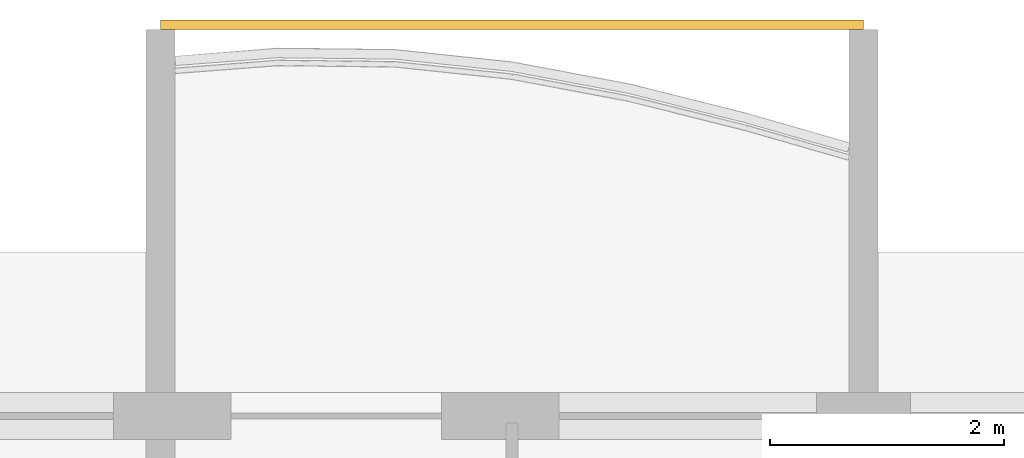
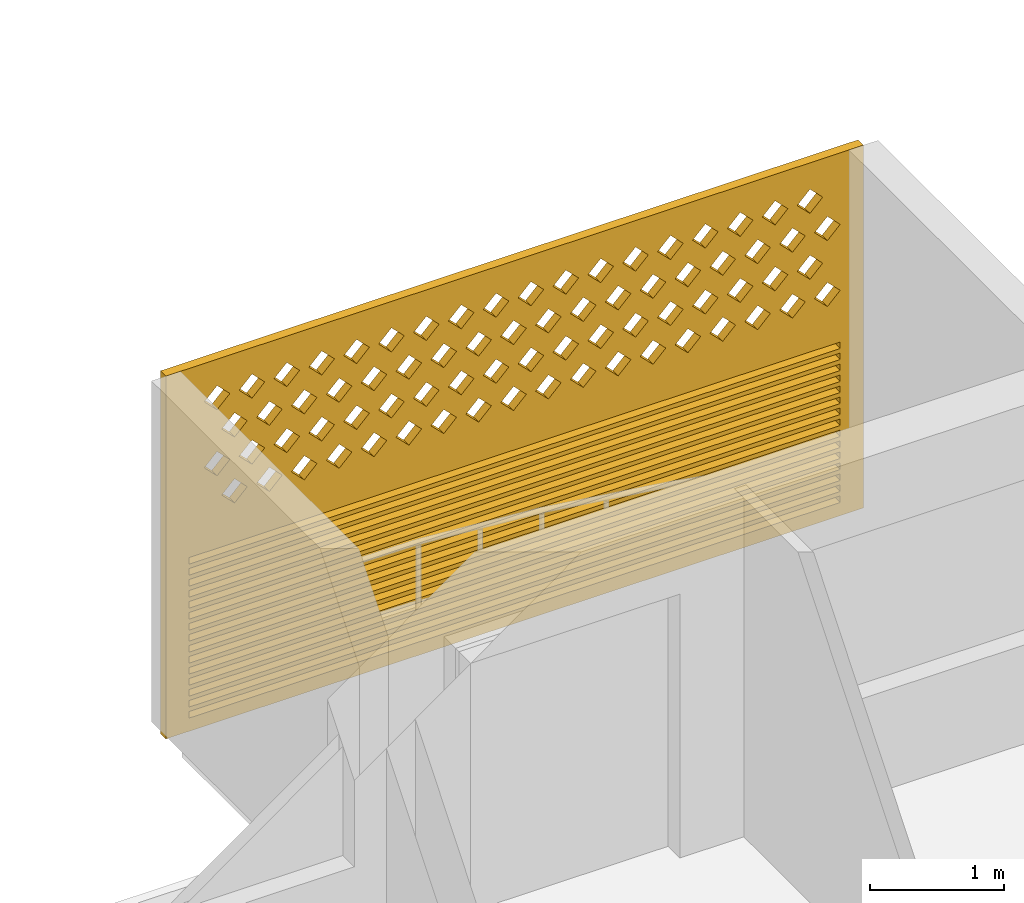
# One storey, part 18 of 26: 1 covering.
"""IFC4 building model written with IfcOpenShell, lengths in metres."""

from ifc_helpers import new_model, si_unit, direction, frame, origin, place, context, subcontext, project, spatial, polyline, outline, extrude, source, transform, mapped, material, material_profile, profile_set, type_object, element, save


model = new_model("IFC4")

# Units and contexts
model_context = context("Model", 3, precision=1e-05, world=origin(), true_north=direction((0.0, 1.0)))
body_context = subcontext(model_context, "Body", "Model", "MODEL_VIEW")
ifc_project = project(units=[si_unit("LENGTHUNIT", "METRE"), si_unit("AREAUNIT", "SQUARE_METRE"), si_unit("VOLUMEUNIT", "CUBIC_METRE"), si_unit("PLANEANGLEUNIT", "RADIAN"), si_unit("MASSUNIT", "GRAM", prefix="KILO")], contexts=[model_context])

# Site, building, storey
site_placement = place(None, origin())
site = spatial("IfcSite", under=ifc_project, at=site_placement, CompositionType="ELEMENT")
building_placement = place(site_placement, origin())
building = spatial("IfcBuilding", under=site, at=building_placement, Name="Poui Terraces", CompositionType="ELEMENT")
storey_placement = place(building_placement, frame((0.0, 0.0, 171.89990234375)))
storey = spatial("IfcBuildingStorey", under=building, at=storey_placement, Name="L47", CompositionType="ELEMENT", Elevation=171.89990234375)

# Covering
ifc_material = material(Name="Terracotta screen", Category="masonry")
ifc_material_profile = material_profile(ifc_material, outline(polyline([(-3.0, -1.64990234375), (3.0, -1.64990234375), (3.0, 1.64990234375), (-3.0, 1.64990234375), (-3.0, -1.64990234375)]), holes=[polyline([(-2.800048828125, 0.39990234375), (-2.68994140625, 0.2900390625), (-2.580078125, 0.39990234375), (-2.68994140625, 0.510009765625), (-2.800048828125, 0.39990234375)]), polyline([(-2.5, 0.39990234375), (-2.389892578125, 0.2900390625), (-2.280029296875, 0.39990234375), (-2.389892578125, 0.510009765625), (-2.5, 0.39990234375)]), polyline([(-2.199951171875, 0.39990234375), (-2.090087890625, 0.2900390625), (-1.97998046875, 0.39990234375), (-2.090087890625, 0.510009765625), (-2.199951171875, 0.39990234375)]), polyline([(-1.89990234375, 0.39990234375), (-1.7900390625, 0.2900390625), (-1.679931640625, 0.39990234375), (-1.7900390625, 0.510009765625), (-1.89990234375, 0.39990234375)]), polyline([(-1.60009765625, 0.39990234375), (-1.489990234375, 0.2900390625), (-1.3798828125, 0.39990234375), (-1.489990234375, 0.510009765625), (-1.60009765625, 0.39990234375)]), polyline([(-1.300048828125, 0.39990234375), (-1.18994140625, 0.2900390625), (-1.080078125, 0.39990234375), (-1.18994140625, 0.510009765625), (-1.300048828125, 0.39990234375)]), polyline([(-1.0, 0.39990234375), (-0.889892578125, 0.2900390625), (-0.780029296875, 0.39990234375), (-0.889892578125, 0.510009765625), (-1.0, 0.39990234375)]), polyline([(-0.699951171875, 0.39990234375), (-0.590087890625, 0.2900390625), (-0.47998046875, 0.39990234375), (-0.590087890625, 0.510009765625), (-0.699951171875, 0.39990234375)]), polyline([(-0.39990234375, 0.39990234375), (-0.2900390625, 0.2900390625), (-0.179931640625, 0.39990234375), (-0.2900390625, 0.510009765625), (-0.39990234375, 0.39990234375)]), polyline([(-0.10009765625, 0.39990234375), (0.010009765625, 0.2900390625), (0.1201171875, 0.39990234375), (0.010009765625, 0.510009765625), (-0.10009765625, 0.39990234375)]), polyline([(0.199951171875, 0.39990234375), (0.31005859375, 0.2900390625), (0.419921875, 0.39990234375), (0.31005859375, 0.510009765625), (0.199951171875, 0.39990234375)]), polyline([(0.5, 0.39990234375), (0.610107421875, 0.2900390625), (0.719970703125, 0.39990234375), (0.610107421875, 0.510009765625), (0.5, 0.39990234375)]), polyline([(0.800048828125, 0.39990234375), (0.909912109375, 0.2900390625), (1.02001953125, 0.39990234375), (0.909912109375, 0.510009765625), (0.800048828125, 0.39990234375)]), polyline([(1.10009765625, 0.39990234375), (1.2099609375, 0.2900390625), (1.320068359375, 0.39990234375), (1.2099609375, 0.510009765625), (1.10009765625, 0.39990234375)]), polyline([(1.39990234375, 0.39990234375), (1.510009765625, 0.2900390625), (1.6201171875, 0.39990234375), (1.510009765625, 0.510009765625), (1.39990234375, 0.39990234375)]), polyline([(1.699951171875, 0.39990234375), (1.81005859375, 0.2900390625), (1.919921875, 0.39990234375), (1.81005859375, 0.510009765625), (1.699951171875, 0.39990234375)]), polyline([(2.0, 0.39990234375), (2.110107421875, 0.2900390625), (2.219970703125, 0.39990234375), (2.110107421875, 0.510009765625), (2.0, 0.39990234375)]), polyline([(2.300048828125, 0.39990234375), (2.409912109375, 0.2900390625), (2.52001953125, 0.39990234375), (2.409912109375, 0.510009765625), (2.300048828125, 0.39990234375)]), polyline([(-2.64990234375, 0.699951171875), (-2.5400390625, 0.590087890625), (-2.429931640625, 0.699951171875), (-2.5400390625, 0.81005859375), (-2.64990234375, 0.699951171875)]), polyline([(-2.35009765625, 0.699951171875), (-2.239990234375, 0.590087890625), (-2.1298828125, 0.699951171875), (-2.239990234375, 0.81005859375), (-2.35009765625, 0.699951171875)]), polyline([(-2.050048828125, 0.699951171875), (-1.93994140625, 0.590087890625), (-1.830078125, 0.699951171875), (-1.93994140625, 0.81005859375), (-2.050048828125, 0.699951171875)]), polyline([(-1.75, 0.699951171875), (-1.639892578125, 0.590087890625), (-1.530029296875, 0.699951171875), (-1.639892578125, 0.81005859375), (-1.75, 0.699951171875)]), polyline([(-1.449951171875, 0.699951171875), (-1.340087890625, 0.590087890625), (-1.22998046875, 0.699951171875), (-1.340087890625, 0.81005859375), (-1.449951171875, 0.699951171875)]), polyline([(-1.14990234375, 0.699951171875), (-1.0400390625, 0.590087890625), (-0.929931640625, 0.699951171875), (-1.0400390625, 0.81005859375), (-1.14990234375, 0.699951171875)]), polyline([(-0.85009765625, 0.699951171875), (-0.739990234375, 0.590087890625), (-0.6298828125, 0.699951171875), (-0.739990234375, 0.81005859375), (-0.85009765625, 0.699951171875)]), polyline([(-0.550048828125, 0.699951171875), (-0.43994140625, 0.590087890625), (-0.330078125, 0.699951171875), (-0.43994140625, 0.81005859375), (-0.550048828125, 0.699951171875)]), polyline([(-0.25, 0.699951171875), (-0.139892578125, 0.590087890625), (-0.030029296875, 0.699951171875), (-0.139892578125, 0.81005859375), (-0.25, 0.699951171875)]), polyline([(0.050048828125, 0.699951171875), (0.159912109375, 0.590087890625), (0.27001953125, 0.699951171875), (0.159912109375, 0.81005859375), (0.050048828125, 0.699951171875)]), polyline([(0.35009765625, 0.699951171875), (0.4599609375, 0.590087890625), (0.570068359375, 0.699951171875), (0.4599609375, 0.81005859375), (0.35009765625, 0.699951171875)]), polyline([(0.64990234375, 0.699951171875), (0.760009765625, 0.590087890625), (0.8701171875, 0.699951171875), (0.760009765625, 0.81005859375), (0.64990234375, 0.699951171875)]), polyline([(0.949951171875, 0.699951171875), (1.06005859375, 0.590087890625), (1.169921875, 0.699951171875), (1.06005859375, 0.81005859375), (0.949951171875, 0.699951171875)]), polyline([(1.25, 0.699951171875), (1.360107421875, 0.590087890625), (1.469970703125, 0.699951171875), (1.360107421875, 0.81005859375), (1.25, 0.699951171875)]), polyline([(1.550048828125, 0.699951171875), (1.659912109375, 0.590087890625), (1.77001953125, 0.699951171875), (1.659912109375, 0.81005859375), (1.550048828125, 0.699951171875)]), polyline([(1.85009765625, 0.699951171875), (1.9599609375, 0.590087890625), (2.070068359375, 0.699951171875), (1.9599609375, 0.81005859375), (1.85009765625, 0.699951171875)]), polyline([(2.14990234375, 0.699951171875), (2.260009765625, 0.590087890625), (2.3701171875, 0.699951171875), (2.260009765625, 0.81005859375), (2.14990234375, 0.699951171875)]), polyline([(2.449951171875, 0.699951171875), (2.56005859375, 0.590087890625), (2.669921875, 0.699951171875), (2.56005859375, 0.81005859375), (2.449951171875, 0.699951171875)]), polyline([(-2.800048828125, 1.0), (-2.68994140625, 0.889892578125), (-2.580078125, 1.0), (-2.68994140625, 1.110107421875), (-2.800048828125, 1.0)]), polyline([(-2.5, 1.0), (-2.389892578125, 0.889892578125), (-2.280029296875, 1.0), (-2.389892578125, 1.110107421875), (-2.5, 1.0)]), polyline([(-2.199951171875, 1.0), (-2.090087890625, 0.889892578125), (-1.97998046875, 1.0), (-2.090087890625, 1.110107421875), (-2.199951171875, 1.0)]), polyline([(-1.89990234375, 1.0), (-1.7900390625, 0.889892578125), (-1.679931640625, 1.0), (-1.7900390625, 1.110107421875), (-1.89990234375, 1.0)]), polyline([(-1.60009765625, 1.0), (-1.489990234375, 0.889892578125), (-1.3798828125, 1.0), (-1.489990234375, 1.110107421875), (-1.60009765625, 1.0)]), polyline([(-1.300048828125, 1.0), (-1.18994140625, 0.889892578125), (-1.080078125, 1.0), (-1.18994140625, 1.110107421875), (-1.300048828125, 1.0)]), polyline([(-1.0, 1.0), (-0.889892578125, 0.889892578125), (-0.780029296875, 1.0), (-0.889892578125, 1.110107421875), (-1.0, 1.0)]), polyline([(-0.699951171875, 1.0), (-0.590087890625, 0.889892578125), (-0.47998046875, 1.0), (-0.590087890625, 1.110107421875), (-0.699951171875, 1.0)]), polyline([(-0.39990234375, 1.0), (-0.2900390625, 0.889892578125), (-0.179931640625, 1.0), (-0.2900390625, 1.110107421875), (-0.39990234375, 1.0)]), polyline([(-0.10009765625, 1.0), (0.010009765625, 0.889892578125), (0.1201171875, 1.0), (0.010009765625, 1.110107421875), (-0.10009765625, 1.0)]), polyline([(0.199951171875, 1.0), (0.31005859375, 0.889892578125), (0.419921875, 1.0), (0.31005859375, 1.110107421875), (0.199951171875, 1.0)]), polyline([(0.5, 1.0), (0.610107421875, 0.889892578125), (0.719970703125, 1.0), (0.610107421875, 1.110107421875), (0.5, 1.0)]), polyline([(0.800048828125, 1.0), (0.909912109375, 0.889892578125), (1.02001953125, 1.0), (0.909912109375, 1.110107421875), (0.800048828125, 1.0)]), polyline([(1.10009765625, 1.0), (1.2099609375, 0.889892578125), (1.320068359375, 1.0), (1.2099609375, 1.110107421875), (1.10009765625, 1.0)]), polyline([(1.39990234375, 1.0), (1.510009765625, 0.889892578125), (1.6201171875, 1.0), (1.510009765625, 1.110107421875), (1.39990234375, 1.0)]), polyline([(1.699951171875, 1.0), (1.81005859375, 0.889892578125), (1.919921875, 1.0), (1.81005859375, 1.110107421875), (1.699951171875, 1.0)]), polyline([(2.0, 1.0), (2.110107421875, 0.889892578125), (2.219970703125, 1.0), (2.110107421875, 1.110107421875), (2.0, 1.0)]), polyline([(2.300048828125, 1.0), (2.409912109375, 0.889892578125), (2.52001953125, 1.0), (2.409912109375, 1.110107421875), (2.300048828125, 1.0)]), polyline([(-2.64990234375, 1.300048828125), (-2.5400390625, 1.18994140625), (-2.429931640625, 1.300048828125), (-2.5400390625, 1.409912109375), (-2.64990234375, 1.300048828125)]), polyline([(-2.35009765625, 1.300048828125), (-2.239990234375, 1.18994140625), (-2.1298828125, 1.300048828125), (-2.239990234375, 1.409912109375), (-2.35009765625, 1.300048828125)]), polyline([(-2.050048828125, 1.300048828125), (-1.93994140625, 1.18994140625), (-1.830078125, 1.300048828125), (-1.93994140625, 1.409912109375), (-2.050048828125, 1.300048828125)]), polyline([(-1.75, 1.300048828125), (-1.639892578125, 1.18994140625), (-1.530029296875, 1.300048828125), (-1.639892578125, 1.409912109375), (-1.75, 1.300048828125)]), polyline([(-1.449951171875, 1.300048828125), (-1.340087890625, 1.18994140625), (-1.22998046875, 1.300048828125), (-1.340087890625, 1.409912109375), (-1.449951171875, 1.300048828125)]), polyline([(-1.14990234375, 1.300048828125), (-1.0400390625, 1.18994140625), (-0.929931640625, 1.300048828125), (-1.0400390625, 1.409912109375), (-1.14990234375, 1.300048828125)]), polyline([(-0.85009765625, 1.300048828125), (-0.739990234375, 1.18994140625), (-0.6298828125, 1.300048828125), (-0.739990234375, 1.409912109375), (-0.85009765625, 1.300048828125)]), polyline([(-0.550048828125, 1.300048828125), (-0.43994140625, 1.18994140625), (-0.330078125, 1.300048828125), (-0.43994140625, 1.409912109375), (-0.550048828125, 1.300048828125)]), polyline([(-0.25, 1.300048828125), (-0.139892578125, 1.18994140625), (-0.030029296875, 1.300048828125), (-0.139892578125, 1.409912109375), (-0.25, 1.300048828125)]), polyline([(0.050048828125, 1.300048828125), (0.159912109375, 1.18994140625), (0.27001953125, 1.300048828125), (0.159912109375, 1.409912109375), (0.050048828125, 1.300048828125)]), polyline([(0.35009765625, 1.300048828125), (0.4599609375, 1.18994140625), (0.570068359375, 1.300048828125), (0.4599609375, 1.409912109375), (0.35009765625, 1.300048828125)]), polyline([(0.64990234375, 1.300048828125), (0.760009765625, 1.18994140625), (0.8701171875, 1.300048828125), (0.760009765625, 1.409912109375), (0.64990234375, 1.300048828125)]), polyline([(0.949951171875, 1.300048828125), (1.06005859375, 1.18994140625), (1.169921875, 1.300048828125), (1.06005859375, 1.409912109375), (0.949951171875, 1.300048828125)]), polyline([(1.25, 1.300048828125), (1.360107421875, 1.18994140625), (1.469970703125, 1.300048828125), (1.360107421875, 1.409912109375), (1.25, 1.300048828125)]), polyline([(1.550048828125, 1.300048828125), (1.659912109375, 1.18994140625), (1.77001953125, 1.300048828125), (1.659912109375, 1.409912109375), (1.550048828125, 1.300048828125)]), polyline([(1.85009765625, 1.300048828125), (1.9599609375, 1.18994140625), (2.070068359375, 1.300048828125), (1.9599609375, 1.409912109375), (1.85009765625, 1.300048828125)]), polyline([(2.14990234375, 1.300048828125), (2.260009765625, 1.18994140625), (2.3701171875, 1.300048828125), (2.260009765625, 1.409912109375), (2.14990234375, 1.300048828125)]), polyline([(2.449951171875, 1.300048828125), (2.56005859375, 1.18994140625), (2.669921875, 1.300048828125), (2.56005859375, 1.409912109375), (2.449951171875, 1.300048828125)]), polyline([(-2.800048828125, -1.530029296875), (2.800048828125, -1.530029296875), (2.800048828125, -1.469970703125), (-2.800048828125, -1.469970703125), (-2.800048828125, -1.530029296875)]), polyline([(-2.800048828125, -1.429931640625), (2.800048828125, -1.429931640625), (2.800048828125, -1.3701171875), (-2.800048828125, -1.3701171875), (-2.800048828125, -1.429931640625)]), polyline([(-2.800048828125, -1.330078125), (2.800048828125, -1.330078125), (2.800048828125, -1.27001953125), (-2.800048828125, -1.27001953125), (-2.800048828125, -1.330078125)]), polyline([(-2.800048828125, -1.22998046875), (2.800048828125, -1.22998046875), (2.800048828125, -1.169921875), (-2.800048828125, -1.169921875), (-2.800048828125, -1.22998046875)]), polyline([(-2.800048828125, -1.1298828125), (2.800048828125, -1.1298828125), (2.800048828125, -1.070068359375), (-2.800048828125, -1.070068359375), (-2.800048828125, -1.1298828125)]), polyline([(-2.800048828125, -1.030029296875), (2.800048828125, -1.030029296875), (2.800048828125, -0.969970703125), (-2.800048828125, -0.969970703125), (-2.800048828125, -1.030029296875)]), polyline([(-2.800048828125, -0.929931640625), (2.800048828125, -0.929931640625), (2.800048828125, -0.8701171875), (-2.800048828125, -0.8701171875), (-2.800048828125, -0.929931640625)]), polyline([(-2.800048828125, -0.830078125), (2.800048828125, -0.830078125), (2.800048828125, -0.77001953125), (-2.800048828125, -0.77001953125), (-2.800048828125, -0.830078125)]), polyline([(-2.800048828125, -0.72998046875), (2.800048828125, -0.72998046875), (2.800048828125, -0.669921875), (-2.800048828125, -0.669921875), (-2.800048828125, -0.72998046875)]), polyline([(-2.800048828125, -0.6298828125), (2.800048828125, -0.6298828125), (2.800048828125, -0.570068359375), (-2.800048828125, -0.570068359375), (-2.800048828125, -0.6298828125)]), polyline([(-2.800048828125, -0.530029296875), (2.800048828125, -0.530029296875), (2.800048828125, -0.469970703125), (-2.800048828125, -0.469970703125), (-2.800048828125, -0.530029296875)]), polyline([(-2.800048828125, -0.429931640625), (2.800048828125, -0.429931640625), (2.800048828125, -0.3701171875), (-2.800048828125, -0.3701171875), (-2.800048828125, -0.429931640625)]), polyline([(-2.800048828125, -0.330078125), (2.800048828125, -0.330078125), (2.800048828125, -0.27001953125), (-2.800048828125, -0.27001953125), (-2.800048828125, -0.330078125)]), polyline([(-2.800048828125, -0.22998046875), (2.800048828125, -0.22998046875), (2.800048828125, -0.169921875), (-2.800048828125, -0.169921875), (-2.800048828125, -0.22998046875)]), polyline([(-2.800048828125, -0.1298828125), (2.800048828125, -0.1298828125), (2.800048828125, -0.070068359375), (-2.800048828125, -0.070068359375), (-2.800048828125, -0.1298828125)])]), Name="TERRACOTTA SCREEN AND JALOUSIE LOUVRE 6000X3300")
ifc_profile_set = profile_set([ifc_material_profile], Name="Terracotta screen")
covering_type = type_object("IfcCoveringType", Name="TERRACOTTA SCREEN AND JALOUSIE LOUVRE 6000X3300", PredefinedType="CLADDING", material=ifc_profile_set)
shared_shape = source(origin(), body_context, "Body", "SweptSolid", [
    extrude(outline(polyline([(-3.0, -1.64990234375), (3.0, -1.64990234375), (3.0, 1.64990234375), (-3.0, 1.64990234375), (-3.0, -1.64990234375)]), holes=[polyline([(-2.800048828125, 0.39990234375), (-2.68994140625, 0.2900390625), (-2.580078125, 0.39990234375), (-2.68994140625, 0.510009765625), (-2.800048828125, 0.39990234375)]), polyline([(-2.5, 0.39990234375), (-2.389892578125, 0.2900390625), (-2.280029296875, 0.39990234375), (-2.389892578125, 0.510009765625), (-2.5, 0.39990234375)]), polyline([(-2.199951171875, 0.39990234375), (-2.090087890625, 0.2900390625), (-1.97998046875, 0.39990234375), (-2.090087890625, 0.510009765625), (-2.199951171875, 0.39990234375)]), polyline([(-1.89990234375, 0.39990234375), (-1.7900390625, 0.2900390625), (-1.679931640625, 0.39990234375), (-1.7900390625, 0.510009765625), (-1.89990234375, 0.39990234375)]), polyline([(-1.60009765625, 0.39990234375), (-1.489990234375, 0.2900390625), (-1.3798828125, 0.39990234375), (-1.489990234375, 0.510009765625), (-1.60009765625, 0.39990234375)]), polyline([(-1.300048828125, 0.39990234375), (-1.18994140625, 0.2900390625), (-1.080078125, 0.39990234375), (-1.18994140625, 0.510009765625), (-1.300048828125, 0.39990234375)]), polyline([(-1.0, 0.39990234375), (-0.889892578125, 0.2900390625), (-0.780029296875, 0.39990234375), (-0.889892578125, 0.510009765625), (-1.0, 0.39990234375)]), polyline([(-0.699951171875, 0.39990234375), (-0.590087890625, 0.2900390625), (-0.47998046875, 0.39990234375), (-0.590087890625, 0.510009765625), (-0.699951171875, 0.39990234375)]), polyline([(-0.39990234375, 0.39990234375), (-0.2900390625, 0.2900390625), (-0.179931640625, 0.39990234375), (-0.2900390625, 0.510009765625), (-0.39990234375, 0.39990234375)]), polyline([(-0.10009765625, 0.39990234375), (0.010009765625, 0.2900390625), (0.1201171875, 0.39990234375), (0.010009765625, 0.510009765625), (-0.10009765625, 0.39990234375)]), polyline([(0.199951171875, 0.39990234375), (0.31005859375, 0.2900390625), (0.419921875, 0.39990234375), (0.31005859375, 0.510009765625), (0.199951171875, 0.39990234375)]), polyline([(0.5, 0.39990234375), (0.610107421875, 0.2900390625), (0.719970703125, 0.39990234375), (0.610107421875, 0.510009765625), (0.5, 0.39990234375)]), polyline([(0.800048828125, 0.39990234375), (0.909912109375, 0.2900390625), (1.02001953125, 0.39990234375), (0.909912109375, 0.510009765625), (0.800048828125, 0.39990234375)]), polyline([(1.10009765625, 0.39990234375), (1.2099609375, 0.2900390625), (1.320068359375, 0.39990234375), (1.2099609375, 0.510009765625), (1.10009765625, 0.39990234375)]), polyline([(1.39990234375, 0.39990234375), (1.510009765625, 0.2900390625), (1.6201171875, 0.39990234375), (1.510009765625, 0.510009765625), (1.39990234375, 0.39990234375)]), polyline([(1.699951171875, 0.39990234375), (1.81005859375, 0.2900390625), (1.919921875, 0.39990234375), (1.81005859375, 0.510009765625), (1.699951171875, 0.39990234375)]), polyline([(2.0, 0.39990234375), (2.110107421875, 0.2900390625), (2.219970703125, 0.39990234375), (2.110107421875, 0.510009765625), (2.0, 0.39990234375)]), polyline([(2.300048828125, 0.39990234375), (2.409912109375, 0.2900390625), (2.52001953125, 0.39990234375), (2.409912109375, 0.510009765625), (2.300048828125, 0.39990234375)]), polyline([(-2.64990234375, 0.699951171875), (-2.5400390625, 0.590087890625), (-2.429931640625, 0.699951171875), (-2.5400390625, 0.81005859375), (-2.64990234375, 0.699951171875)]), polyline([(-2.35009765625, 0.699951171875), (-2.239990234375, 0.590087890625), (-2.1298828125, 0.699951171875), (-2.239990234375, 0.81005859375), (-2.35009765625, 0.699951171875)]), polyline([(-2.050048828125, 0.699951171875), (-1.93994140625, 0.590087890625), (-1.830078125, 0.699951171875), (-1.93994140625, 0.81005859375), (-2.050048828125, 0.699951171875)]), polyline([(-1.75, 0.699951171875), (-1.639892578125, 0.590087890625), (-1.530029296875, 0.699951171875), (-1.639892578125, 0.81005859375), (-1.75, 0.699951171875)]), polyline([(-1.449951171875, 0.699951171875), (-1.340087890625, 0.590087890625), (-1.22998046875, 0.699951171875), (-1.340087890625, 0.81005859375), (-1.449951171875, 0.699951171875)]), polyline([(-1.14990234375, 0.699951171875), (-1.0400390625, 0.590087890625), (-0.929931640625, 0.699951171875), (-1.0400390625, 0.81005859375), (-1.14990234375, 0.699951171875)]), polyline([(-0.85009765625, 0.699951171875), (-0.739990234375, 0.590087890625), (-0.6298828125, 0.699951171875), (-0.739990234375, 0.81005859375), (-0.85009765625, 0.699951171875)]), polyline([(-0.550048828125, 0.699951171875), (-0.43994140625, 0.590087890625), (-0.330078125, 0.699951171875), (-0.43994140625, 0.81005859375), (-0.550048828125, 0.699951171875)]), polyline([(-0.25, 0.699951171875), (-0.139892578125, 0.590087890625), (-0.030029296875, 0.699951171875), (-0.139892578125, 0.81005859375), (-0.25, 0.699951171875)]), polyline([(0.050048828125, 0.699951171875), (0.159912109375, 0.590087890625), (0.27001953125, 0.699951171875), (0.159912109375, 0.81005859375), (0.050048828125, 0.699951171875)]), polyline([(0.35009765625, 0.699951171875), (0.4599609375, 0.590087890625), (0.570068359375, 0.699951171875), (0.4599609375, 0.81005859375), (0.35009765625, 0.699951171875)]), polyline([(0.64990234375, 0.699951171875), (0.760009765625, 0.590087890625), (0.8701171875, 0.699951171875), (0.760009765625, 0.81005859375), (0.64990234375, 0.699951171875)]), polyline([(0.949951171875, 0.699951171875), (1.06005859375, 0.590087890625), (1.169921875, 0.699951171875), (1.06005859375, 0.81005859375), (0.949951171875, 0.699951171875)]), polyline([(1.25, 0.699951171875), (1.360107421875, 0.590087890625), (1.469970703125, 0.699951171875), (1.360107421875, 0.81005859375), (1.25, 0.699951171875)]), polyline([(1.550048828125, 0.699951171875), (1.659912109375, 0.590087890625), (1.77001953125, 0.699951171875), (1.659912109375, 0.81005859375), (1.550048828125, 0.699951171875)]), polyline([(1.85009765625, 0.699951171875), (1.9599609375, 0.590087890625), (2.070068359375, 0.699951171875), (1.9599609375, 0.81005859375), (1.85009765625, 0.699951171875)]), polyline([(2.14990234375, 0.699951171875), (2.260009765625, 0.590087890625), (2.3701171875, 0.699951171875), (2.260009765625, 0.81005859375), (2.14990234375, 0.699951171875)]), polyline([(2.449951171875, 0.699951171875), (2.56005859375, 0.590087890625), (2.669921875, 0.699951171875), (2.56005859375, 0.81005859375), (2.449951171875, 0.699951171875)]), polyline([(-2.800048828125, 1.0), (-2.68994140625, 0.889892578125), (-2.580078125, 1.0), (-2.68994140625, 1.110107421875), (-2.800048828125, 1.0)]), polyline([(-2.5, 1.0), (-2.389892578125, 0.889892578125), (-2.280029296875, 1.0), (-2.389892578125, 1.110107421875), (-2.5, 1.0)]), polyline([(-2.199951171875, 1.0), (-2.090087890625, 0.889892578125), (-1.97998046875, 1.0), (-2.090087890625, 1.110107421875), (-2.199951171875, 1.0)]), polyline([(-1.89990234375, 1.0), (-1.7900390625, 0.889892578125), (-1.679931640625, 1.0), (-1.7900390625, 1.110107421875), (-1.89990234375, 1.0)]), polyline([(-1.60009765625, 1.0), (-1.489990234375, 0.889892578125), (-1.3798828125, 1.0), (-1.489990234375, 1.110107421875), (-1.60009765625, 1.0)]), polyline([(-1.300048828125, 1.0), (-1.18994140625, 0.889892578125), (-1.080078125, 1.0), (-1.18994140625, 1.110107421875), (-1.300048828125, 1.0)]), polyline([(-1.0, 1.0), (-0.889892578125, 0.889892578125), (-0.780029296875, 1.0), (-0.889892578125, 1.110107421875), (-1.0, 1.0)]), polyline([(-0.699951171875, 1.0), (-0.590087890625, 0.889892578125), (-0.47998046875, 1.0), (-0.590087890625, 1.110107421875), (-0.699951171875, 1.0)]), polyline([(-0.39990234375, 1.0), (-0.2900390625, 0.889892578125), (-0.179931640625, 1.0), (-0.2900390625, 1.110107421875), (-0.39990234375, 1.0)]), polyline([(-0.10009765625, 1.0), (0.010009765625, 0.889892578125), (0.1201171875, 1.0), (0.010009765625, 1.110107421875), (-0.10009765625, 1.0)]), polyline([(0.199951171875, 1.0), (0.31005859375, 0.889892578125), (0.419921875, 1.0), (0.31005859375, 1.110107421875), (0.199951171875, 1.0)]), polyline([(0.5, 1.0), (0.610107421875, 0.889892578125), (0.719970703125, 1.0), (0.610107421875, 1.110107421875), (0.5, 1.0)]), polyline([(0.800048828125, 1.0), (0.909912109375, 0.889892578125), (1.02001953125, 1.0), (0.909912109375, 1.110107421875), (0.800048828125, 1.0)]), polyline([(1.10009765625, 1.0), (1.2099609375, 0.889892578125), (1.320068359375, 1.0), (1.2099609375, 1.110107421875), (1.10009765625, 1.0)]), polyline([(1.39990234375, 1.0), (1.510009765625, 0.889892578125), (1.6201171875, 1.0), (1.510009765625, 1.110107421875), (1.39990234375, 1.0)]), polyline([(1.699951171875, 1.0), (1.81005859375, 0.889892578125), (1.919921875, 1.0), (1.81005859375, 1.110107421875), (1.699951171875, 1.0)]), polyline([(2.0, 1.0), (2.110107421875, 0.889892578125), (2.219970703125, 1.0), (2.110107421875, 1.110107421875), (2.0, 1.0)]), polyline([(2.300048828125, 1.0), (2.409912109375, 0.889892578125), (2.52001953125, 1.0), (2.409912109375, 1.110107421875), (2.300048828125, 1.0)]), polyline([(-2.64990234375, 1.300048828125), (-2.5400390625, 1.18994140625), (-2.429931640625, 1.300048828125), (-2.5400390625, 1.409912109375), (-2.64990234375, 1.300048828125)]), polyline([(-2.35009765625, 1.300048828125), (-2.239990234375, 1.18994140625), (-2.1298828125, 1.300048828125), (-2.239990234375, 1.409912109375), (-2.35009765625, 1.300048828125)]), polyline([(-2.050048828125, 1.300048828125), (-1.93994140625, 1.18994140625), (-1.830078125, 1.300048828125), (-1.93994140625, 1.409912109375), (-2.050048828125, 1.300048828125)]), polyline([(-1.75, 1.300048828125), (-1.639892578125, 1.18994140625), (-1.530029296875, 1.300048828125), (-1.639892578125, 1.409912109375), (-1.75, 1.300048828125)]), polyline([(-1.449951171875, 1.300048828125), (-1.340087890625, 1.18994140625), (-1.22998046875, 1.300048828125), (-1.340087890625, 1.409912109375), (-1.449951171875, 1.300048828125)]), polyline([(-1.14990234375, 1.300048828125), (-1.0400390625, 1.18994140625), (-0.929931640625, 1.300048828125), (-1.0400390625, 1.409912109375), (-1.14990234375, 1.300048828125)]), polyline([(-0.85009765625, 1.300048828125), (-0.739990234375, 1.18994140625), (-0.6298828125, 1.300048828125), (-0.739990234375, 1.409912109375), (-0.85009765625, 1.300048828125)]), polyline([(-0.550048828125, 1.300048828125), (-0.43994140625, 1.18994140625), (-0.330078125, 1.300048828125), (-0.43994140625, 1.409912109375), (-0.550048828125, 1.300048828125)]), polyline([(-0.25, 1.300048828125), (-0.139892578125, 1.18994140625), (-0.030029296875, 1.300048828125), (-0.139892578125, 1.409912109375), (-0.25, 1.300048828125)]), polyline([(0.050048828125, 1.300048828125), (0.159912109375, 1.18994140625), (0.27001953125, 1.300048828125), (0.159912109375, 1.409912109375), (0.050048828125, 1.300048828125)]), polyline([(0.35009765625, 1.300048828125), (0.4599609375, 1.18994140625), (0.570068359375, 1.300048828125), (0.4599609375, 1.409912109375), (0.35009765625, 1.300048828125)]), polyline([(0.64990234375, 1.300048828125), (0.760009765625, 1.18994140625), (0.8701171875, 1.300048828125), (0.760009765625, 1.409912109375), (0.64990234375, 1.300048828125)]), polyline([(0.949951171875, 1.300048828125), (1.06005859375, 1.18994140625), (1.169921875, 1.300048828125), (1.06005859375, 1.409912109375), (0.949951171875, 1.300048828125)]), polyline([(1.25, 1.300048828125), (1.360107421875, 1.18994140625), (1.469970703125, 1.300048828125), (1.360107421875, 1.409912109375), (1.25, 1.300048828125)]), polyline([(1.550048828125, 1.300048828125), (1.659912109375, 1.18994140625), (1.77001953125, 1.300048828125), (1.659912109375, 1.409912109375), (1.550048828125, 1.300048828125)]), polyline([(1.85009765625, 1.300048828125), (1.9599609375, 1.18994140625), (2.070068359375, 1.300048828125), (1.9599609375, 1.409912109375), (1.85009765625, 1.300048828125)]), polyline([(2.14990234375, 1.300048828125), (2.260009765625, 1.18994140625), (2.3701171875, 1.300048828125), (2.260009765625, 1.409912109375), (2.14990234375, 1.300048828125)]), polyline([(2.449951171875, 1.300048828125), (2.56005859375, 1.18994140625), (2.669921875, 1.300048828125), (2.56005859375, 1.409912109375), (2.449951171875, 1.300048828125)]), polyline([(-2.800048828125, -1.530029296875), (2.800048828125, -1.530029296875), (2.800048828125, -1.469970703125), (-2.800048828125, -1.469970703125), (-2.800048828125, -1.530029296875)]), polyline([(-2.800048828125, -1.429931640625), (2.800048828125, -1.429931640625), (2.800048828125, -1.3701171875), (-2.800048828125, -1.3701171875), (-2.800048828125, -1.429931640625)]), polyline([(-2.800048828125, -1.330078125), (2.800048828125, -1.330078125), (2.800048828125, -1.27001953125), (-2.800048828125, -1.27001953125), (-2.800048828125, -1.330078125)]), polyline([(-2.800048828125, -1.22998046875), (2.800048828125, -1.22998046875), (2.800048828125, -1.169921875), (-2.800048828125, -1.169921875), (-2.800048828125, -1.22998046875)]), polyline([(-2.800048828125, -1.1298828125), (2.800048828125, -1.1298828125), (2.800048828125, -1.070068359375), (-2.800048828125, -1.070068359375), (-2.800048828125, -1.1298828125)]), polyline([(-2.800048828125, -1.030029296875), (2.800048828125, -1.030029296875), (2.800048828125, -0.969970703125), (-2.800048828125, -0.969970703125), (-2.800048828125, -1.030029296875)]), polyline([(-2.800048828125, -0.929931640625), (2.800048828125, -0.929931640625), (2.800048828125, -0.8701171875), (-2.800048828125, -0.8701171875), (-2.800048828125, -0.929931640625)]), polyline([(-2.800048828125, -0.830078125), (2.800048828125, -0.830078125), (2.800048828125, -0.77001953125), (-2.800048828125, -0.77001953125), (-2.800048828125, -0.830078125)]), polyline([(-2.800048828125, -0.72998046875), (2.800048828125, -0.72998046875), (2.800048828125, -0.669921875), (-2.800048828125, -0.669921875), (-2.800048828125, -0.72998046875)]), polyline([(-2.800048828125, -0.6298828125), (2.800048828125, -0.6298828125), (2.800048828125, -0.570068359375), (-2.800048828125, -0.570068359375), (-2.800048828125, -0.6298828125)]), polyline([(-2.800048828125, -0.530029296875), (2.800048828125, -0.530029296875), (2.800048828125, -0.469970703125), (-2.800048828125, -0.469970703125), (-2.800048828125, -0.530029296875)]), polyline([(-2.800048828125, -0.429931640625), (2.800048828125, -0.429931640625), (2.800048828125, -0.3701171875), (-2.800048828125, -0.3701171875), (-2.800048828125, -0.429931640625)]), polyline([(-2.800048828125, -0.330078125), (2.800048828125, -0.330078125), (2.800048828125, -0.27001953125), (-2.800048828125, -0.27001953125), (-2.800048828125, -0.330078125)]), polyline([(-2.800048828125, -0.22998046875), (2.800048828125, -0.22998046875), (2.800048828125, -0.169921875), (-2.800048828125, -0.169921875), (-2.800048828125, -0.22998046875)]), polyline([(-2.800048828125, -0.1298828125), (2.800048828125, -0.1298828125), (2.800048828125, -0.070068359375), (-2.800048828125, -0.070068359375), (-2.800048828125, -0.1298828125)])]), origin(), (0.0, 0.0, 1.0), 0.080078125),
])
covering_placement = place(storey_placement, frame((39.0, 44.5, 1.4501953125), z_axis=(0.0, 1.0, 0.0), x_axis=(-1.0, 0.0, 0.0)))
element("IfcCovering", 1, at=covering_placement, inside=storey, type_object=covering_type, Name="SOLAR SCREEN AND JALOUSIE LOUVRE", PredefinedType="CLADDING", context=body_context, shape_type="MappedRepresentation", body=[
    mapped(shared_shape, transform((0.0, 0.0, 0.0))),
])

save(model, "model.ifc")
